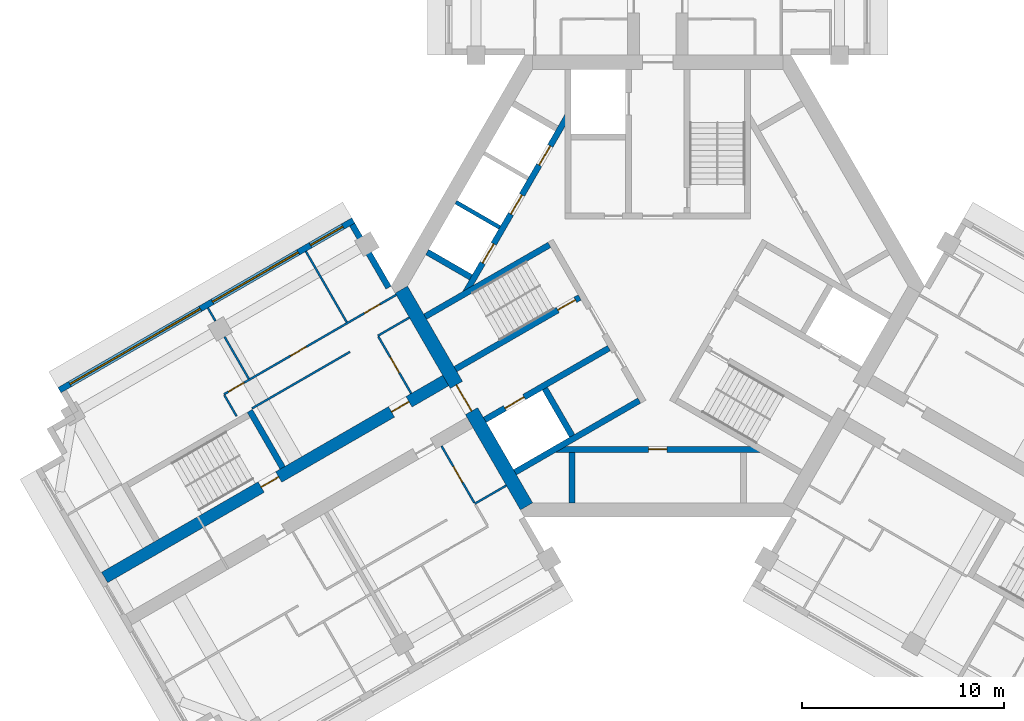
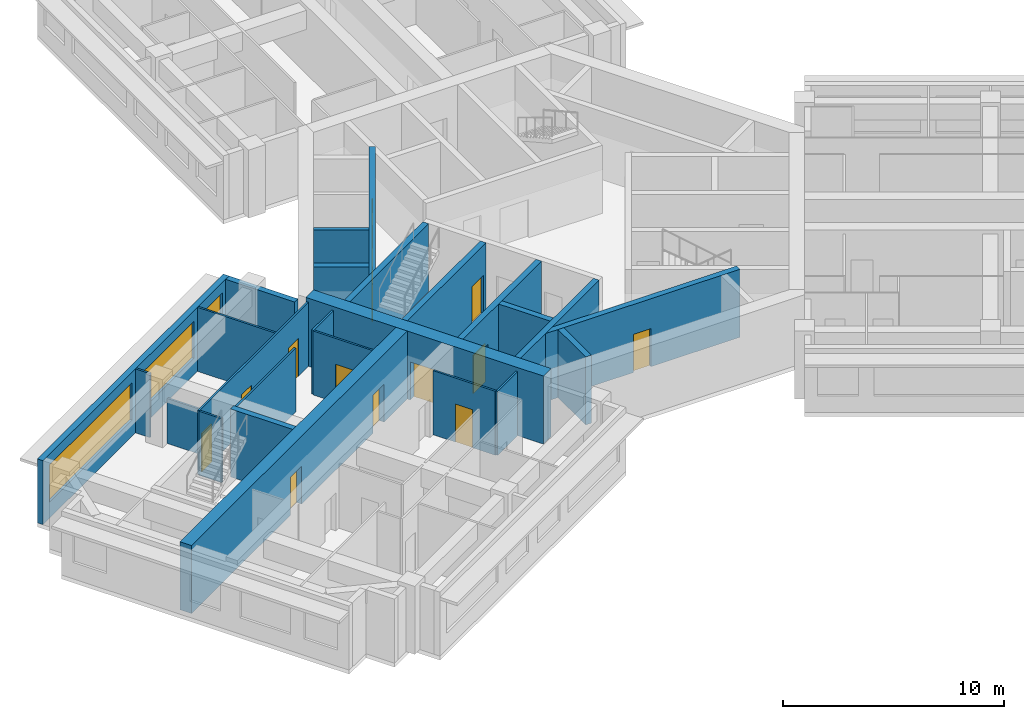
# One storey, part 3 of 10: 25 walls, 14 doors, 3 windows, 17 openings.
"""IFC4 building model written with IfcOpenShell, lengths in metres."""

from ifc_helpers import new_model, si_unit, direction, frame, frame_2d, origin, place, context, subcontext, project, spatial, rectangle, extrude, material, layer, layer_set, type_object, element, fill, save


model = new_model("IFC4")

# Units and contexts
model_context = context("Model", 3, precision=1e-05, world=origin(), true_north=direction((0.0, 1.0)))
body_context = subcontext(model_context, "Body", "Model", "MODEL_VIEW")
ifc_project = project(units=[si_unit("LENGTHUNIT", "METRE"), si_unit("AREAUNIT", "SQUARE_METRE"), si_unit("VOLUMEUNIT", "CUBIC_METRE"), si_unit("PLANEANGLEUNIT", "RADIAN"), si_unit("MASSUNIT", "GRAM", prefix="KILO")], contexts=[model_context])

# Site, building, storey
site_placement = place(None, origin())
site = spatial("IfcSite", under=ifc_project, at=site_placement, CompositionType="ELEMENT")
building_placement = place(site_placement, origin())
building = spatial("IfcBuilding", under=site, at=building_placement, Name="Impinga Residences", CompositionType="ELEMENT")
storey_placement = place(building_placement, frame((0.0, 0.0, 229.75)))
storey = spatial("IfcBuildingStorey", under=building, at=storey_placement, Name="L57", CompositionType="ELEMENT", Elevation=229.75)

# Wall, openings, doors
ifc_material_1 = material(Name="Concrete C60/75", Category="concrete")
ifc_layer_1 = layer(ifc_material_1, 0.60009765625)
ifc_layer_set_1 = layer_set([ifc_layer_1], Name="Concrete C60/75")
wall_type_1 = type_object("IfcWallType", Name="BW3 corridor buttress wall, L46 to L73 600", PredefinedType="SHEAR", material=ifc_layer_set_1)
wall_1_placement = place(storey_placement, frame((-10.19677734375, -4.50146484375, 0.0), z_axis=(0.0, 0.0, 1.0), x_axis=(-0.866025214745, -0.500000327426, 0.0)))
wall_1 = element("IfcWall", 1, at=wall_1_placement, inside=storey, type_object=wall_type_1, Name="Corridor wall BW3 WD L57", PredefinedType="SHEAR", context=body_context, shape_type="SweptSolid", body=[
    extrude(rectangle(XDim=19.85009765625, YDim=0.60009765625, at=frame_2d((9.925048828125, 0.0))), origin(), (0.0, 0.0, 1.0), 3.75),
])
opening_1_placement = place(wall_1_placement, frame((9.89990234375, 0.0, 0.0)))
opening_1 = element("IfcOpeningElement", 2, at=opening_1_placement, cuts=wall_1, Name="Opening D5", PredefinedType="OPENING", context=body_context, shape_type="SweptSolid", body=[
    extrude(rectangle(XDim=1.0, YDim=2.10009765625, at=frame_2d((0.5, 1.050048828125))), frame((0.0, 0.31005859375, 0.0), z_axis=(0.0, -1.0, 0.0), x_axis=(1.0, 0.0, 0.0)), (0.0, 0.0, 1.0), 0.6201171875),
])
opening_2_placement = place(wall_1_placement, frame((2.449951171875, 0.0, 0.0)))
opening_2 = element("IfcOpeningElement", 3, at=opening_2_placement, cuts=wall_1, Name="Opening D1", PredefinedType="OPENING", context=body_context, shape_type="SweptSolid", body=[
    extrude(rectangle(XDim=1.0, YDim=2.10009765625, at=frame_2d((0.5, 1.050048828125))), frame((0.0, 0.31005859375, 0.0), z_axis=(0.0, -1.0, 0.0), x_axis=(1.0, 0.0, 0.0)), (0.0, 0.0, 1.0), 0.6201171875),
])
ifc_material_2 = material(Name="Timber door set", Category="wood")
door_type_1 = type_object("IfcDoorType", Name="D1 apartment entrance door 1000x2100", OperationType="SINGLE_SWING_LEFT", PredefinedType="DOOR", material=ifc_material_2)
door_1_placement = place(opening_2_placement, origin())
door_1 = element("IfcDoor", 4, at=door_1_placement, inside=storey, type_object=door_type_1, Name="Apartment L57-WF1 entrance", OperationType="SINGLE_SWING_LEFT", OverallHeight=2.10009765625, OverallWidth=1.0, PredefinedType="DOOR", context=body_context, shape_type="SweptSolid", body=[
    extrude(rectangle(XDim=1.0, YDim=2.10009765625, at=frame_2d((0.5, 1.050048828125))), frame((0.0, 0.02490234375, 0.0), z_axis=(0.0, -1.0, 0.0), x_axis=(1.0, 0.0, 0.0)), (0.0, 0.0, 1.0), 0.050048828125),
])
fill(opening_2, door_1)
door_type_2 = type_object("IfcDoorType", Name="D5 stair door 1000x2100", OperationType="SINGLE_SWING_LEFT", PredefinedType="DOOR", material=ifc_material_2)
door_2_placement = place(opening_1_placement, origin())
door_2 = element("IfcDoor", 5, at=door_2_placement, inside=storey, type_object=door_type_2, Name="Wing stair door W", OperationType="SINGLE_SWING_RIGHT", OverallHeight=2.10009765625, OverallWidth=1.0, PredefinedType="DOOR", context=body_context, shape_type="SweptSolid", body=[
    extrude(rectangle(XDim=1.0, YDim=2.10009765625, at=frame_2d((0.5, 1.050048828125))), frame((0.0, 0.02490234375, 0.0), z_axis=(0.0, -1.0, 0.0), x_axis=(1.0, 0.0, 0.0)), (0.0, 0.0, 1.0), 0.050048828125),
])
fill(opening_1, door_2)

# Wall, openings, windows
ifc_material_3 = material(Name="Terracotta rainscreen on blockwork", Category="masonry")
ifc_layer_2 = layer(ifc_material_3, 0.300048828125)
ifc_layer_set_2 = layer_set([ifc_layer_2], Name="EW1 external wall, terracotta rainscreen on blockwork 300")
wall_type_2 = type_object("IfcWallType", Name="EW1 external wall, terracotta rainscreen on blockwork 300", PredefinedType="SOLIDWALL", material=ifc_layer_set_2)
wall_2_placement = place(storey_placement, frame((-29.624267578125, -5.15234375, 0.0), z_axis=(0.0, 0.0, 1.0), x_axis=(0.86602925447, 0.499993330357, 0.0)))
wall_2 = element("IfcWall", 6, at=wall_2_placement, inside=storey, type_object=wall_type_2, Name="External wall EW1 L57", PredefinedType="SOLIDWALL", context=body_context, shape_type="SweptSolid", body=[
    extrude(rectangle(XDim=16.800048828125, YDim=0.300048828125, at=frame_2d((8.39990234375, 0.0))), origin(), (0.0, 0.0, 1.0), 3.530029296875),
])
opening_3_placement = place(wall_2_placement, frame((0.60009765625, 0.0, 0.89990234375)))
opening_3 = element("IfcOpeningElement", 7, at=opening_3_placement, cuts=wall_2, Name="Opening W7", PredefinedType="OPENING", context=body_context, shape_type="SweptSolid", body=[
    extrude(rectangle(XDim=7.449951171875, YDim=2.050048828125, at=frame_2d((3.72509765625, 1.02490234375))), frame((0.0, 0.159912109375, 0.0), z_axis=(0.0, -1.0, 0.0), x_axis=(1.0, 0.0, 0.0)), (0.0, 0.0, 1.0), 0.320068359375),
])
opening_4_placement = place(wall_2_placement, frame((8.75, 0.0, 0.89990234375)))
opening_4 = element("IfcOpeningElement", 8, at=opening_4_placement, cuts=wall_2, Name="Opening W16", PredefinedType="OPENING", context=body_context, shape_type="SweptSolid", body=[
    extrude(rectangle(XDim=4.89990234375, YDim=2.050048828125, at=frame_2d((2.449951171875, 1.02490234375))), frame((0.0, 0.159912109375, 0.0), z_axis=(0.0, -1.0, 0.0), x_axis=(1.0, 0.0, 0.0)), (0.0, 0.0, 1.0), 0.320068359375),
])
opening_5_placement = place(wall_2_placement, frame((14.35009765625, 0.0, 0.89990234375)))
opening_5 = element("IfcOpeningElement", 9, at=opening_5_placement, cuts=wall_2, Name="Opening W15", PredefinedType="OPENING", context=body_context, shape_type="SweptSolid", body=[
    extrude(rectangle(XDim=1.85009765625, YDim=2.050048828125, at=frame_2d((0.925048828125, 1.02490234375))), frame((0.0, 0.159912109375, 0.0), z_axis=(0.0, -1.0, 0.0), x_axis=(1.0, 0.0, 0.0)), (0.0, 0.0, 1.0), 0.320068359375),
])
ifc_material_4 = material(Name="Aluminium window, clear double glazing", Category="aluminium")
window_type_1 = type_object("IfcWindowType", Name="W15 ribbon window 1850x2050", PartitioningType="SINGLE_PANEL", PredefinedType="WINDOW", material=ifc_material_4)
window_1_placement = place(opening_5_placement, origin())
window_1 = element("IfcWindow", 10, at=window_1_placement, inside=storey, type_object=window_type_1, Name="Window L57", OverallHeight=2.050048828125, OverallWidth=1.85009765625, PartitioningType="SINGLE_PANEL", PredefinedType="WINDOW", context=body_context, shape_type="SweptSolid", body=[
    extrude(rectangle(XDim=1.85009765625, YDim=2.050048828125, at=frame_2d((0.925048828125, 1.02490234375))), frame((0.0, 0.030029296875, 0.0), z_axis=(0.0, -1.0, 0.0), x_axis=(1.0, 0.0, 0.0)), (0.0, 0.0, 1.0), 0.06005859375),
])
fill(opening_5, window_1)
window_type_2 = type_object("IfcWindowType", Name="W16 ribbon window 4900x2050", PartitioningType="SINGLE_PANEL", PredefinedType="WINDOW", material=ifc_material_4)
window_2_placement = place(opening_4_placement, origin())
window_2 = element("IfcWindow", 11, at=window_2_placement, inside=storey, type_object=window_type_2, Name="Window L57", OverallHeight=2.050048828125, OverallWidth=4.89990234375, PartitioningType="SINGLE_PANEL", PredefinedType="WINDOW", context=body_context, shape_type="SweptSolid", body=[
    extrude(rectangle(XDim=4.89990234375, YDim=2.050048828125, at=frame_2d((2.449951171875, 1.02490234375))), frame((0.0, 0.030029296875, 0.0), z_axis=(0.0, -1.0, 0.0), x_axis=(1.0, 0.0, 0.0)), (0.0, 0.0, 1.0), 0.06005859375),
])
fill(opening_4, window_2)
window_type_3 = type_object("IfcWindowType", Name="W7 ribbon window 7450x2050", PartitioningType="SINGLE_PANEL", PredefinedType="WINDOW", material=ifc_material_4)
window_3_placement = place(opening_3_placement, origin())
window_3 = element("IfcWindow", 12, at=window_3_placement, inside=storey, type_object=window_type_3, Name="Window L57", OverallHeight=2.050048828125, OverallWidth=7.449951171875, PartitioningType="SINGLE_PANEL", PredefinedType="WINDOW", context=body_context, shape_type="SweptSolid", body=[
    extrude(rectangle(XDim=7.449951171875, YDim=2.050048828125, at=frame_2d((3.72509765625, 1.02490234375))), frame((0.0, 0.030029296875, 0.0), z_axis=(0.0, -1.0, 0.0), x_axis=(1.0, 0.0, 0.0)), (0.0, 0.0, 1.0), 0.06005859375),
])
fill(opening_3, window_3)

# Walls
wall_3_placement = place(storey_placement, frame((-15.1298828125, 3.042724609375, 0.0), z_axis=(0.0, 0.0, 1.0), x_axis=(0.500012057535, -0.866018442252, 0.0)))
element("IfcWall", 13, at=wall_3_placement, inside=storey, type_object=wall_type_2, Name="External wall EW1 L57", PredefinedType="SOLIDWALL", context=body_context, shape_type="SweptSolid", body=[
    extrude(rectangle(XDim=3.60009765625, YDim=0.300048828125, at=frame_2d((1.800048828125, 0.0))), origin(), (0.0, 0.0, 1.0), 3.530029296875),
])
ifc_material_5 = material(Name="Gypsum board on steel studs", Category="steel")
ifc_layer_3 = layer(ifc_material_5, 0.10009765625)
ifc_layer_set_3 = layer_set([ifc_layer_3], Name="Gypsum board on steel studs")
wall_type_3 = type_object("IfcWallType", Name="IP1 partition 100", PredefinedType="PARTITIONING", material=ifc_layer_set_3)
wall_4_placement = place(storey_placement, frame((-7.5, -9.872802734375, 0.0), z_axis=(0.0, 0.0, 1.0), x_axis=(-0.866047807691, -0.499961193289, 0.0)))
element("IfcWall", 14, at=wall_4_placement, inside=storey, type_object=wall_type_3, Name="Partition L57-WA1:DIV0", PredefinedType="PARTITIONING", context=body_context, shape_type="SweptSolid", body=[
    extrude(rectangle(XDim=1.800048828125, YDim=0.10009765625, at=frame_2d((0.89990234375, 0.0))), origin(), (0.0, 0.0, 1.0), 3.530029296875),
])

# Wall, opening, door
wall_5_placement = place(storey_placement, frame((-10.708740234375, -7.914794921875, 0.0), z_axis=(0.0, 0.0, 1.0), x_axis=(0.499984717929, -0.866034226713, 0.0)))
wall_5 = element("IfcWall", 15, at=wall_5_placement, inside=storey, type_object=wall_type_3, Name="Partition L57-WA1:IB1", PredefinedType="PARTITIONING", context=body_context, shape_type="SweptSolid", body=[
    extrude(rectangle(XDim=3.25, YDim=0.10009765625, at=frame_2d((1.625, 0.0))), origin(), (0.0, 0.0, 1.0), 3.530029296875),
])
opening_6_placement = place(wall_5_placement, frame((1.175048828125, 0.0, 0.0)))
opening_6 = element("IfcOpeningElement", 16, at=opening_6_placement, cuts=wall_5, Name="Opening D2", PredefinedType="OPENING", context=body_context, shape_type="SweptSolid", body=[
    extrude(rectangle(XDim=0.89990234375, YDim=2.10009765625, at=frame_2d((0.449951171875, 1.050048828125))), frame((0.0, 0.06005859375, 0.0), z_axis=(0.0, -1.0, 0.0), x_axis=(1.0, 0.0, 0.0)), (0.0, 0.0, 1.0), 0.1201171875),
])
door_type_3 = type_object("IfcDoorType", Name="D2 internal door 900x2100", OperationType="SINGLE_SWING_LEFT", PredefinedType="DOOR", material=ifc_material_2)
door_3_placement = place(opening_6_placement, origin())
door_3 = element("IfcDoor", 17, at=door_3_placement, inside=storey, type_object=door_type_3, Name="Apartment L57-WA1 bathroom door", OperationType="SINGLE_SWING_LEFT", OverallHeight=2.10009765625, OverallWidth=0.89990234375, PredefinedType="DOOR", context=body_context, shape_type="SweptSolid", body=[
    extrude(rectangle(XDim=0.89990234375, YDim=2.10009765625, at=frame_2d((0.449951171875, 1.050048828125))), frame((0.0, 0.02490234375, 0.0), z_axis=(0.0, -1.0, 0.0), x_axis=(1.0, 0.0, 0.0)), (0.0, 0.0, 1.0), 0.050048828125),
])
fill(opening_6, door_3)

# Walls
wall_6_placement = place(storey_placement, frame((-12.300048828125, -1.558837890625, 0.0), z_axis=(0.0, 0.0, 1.0), x_axis=(-0.866047807691, -0.499961193289, 0.0)))
element("IfcWall", 18, at=wall_6_placement, inside=storey, type_object=wall_type_3, Name="Partition L57-WF1:DIV0", PredefinedType="PARTITIONING", context=body_context, shape_type="SweptSolid", body=[
    extrude(rectangle(XDim=1.800048828125, YDim=0.10009765625, at=frame_2d((0.89990234375, 0.0))), origin(), (0.0, 0.0, 1.0), 3.530029296875),
])
wall_7_placement = place(storey_placement, frame((-15.244384765625, -3.2587890625, 0.0), z_axis=(0.0, 0.0, 1.0), x_axis=(-0.866026594901, -0.49999793692, 0.0)))
element("IfcWall", 19, at=wall_7_placement, inside=storey, type_object=wall_type_3, Name="Partition L57-WF1:DIV1", PredefinedType="PARTITIONING", context=body_context, shape_type="SweptSolid", body=[
    extrude(rectangle(XDim=5.60009765625, YDim=0.10009765625, at=frame_2d((2.800048828125, 0.0))), origin(), (0.0, 0.0, 1.0), 3.530029296875),
])

# Wall, openings, doors
wall_8_placement = place(storey_placement, frame((-12.949951171875, -0.43310546875, 0.0), z_axis=(0.0, 0.0, 1.0), x_axis=(-0.866038236991, -0.499977771575, 0.0)))
wall_8 = element("IfcWall", 20, at=wall_8_placement, inside=storey, type_object=wall_type_3, Name="Partition L57-WF1:STRIP", PredefinedType="PARTITIONING", context=body_context, shape_type="SweptSolid", body=[
    extrude(rectangle(XDim=9.85009765625, YDim=0.10009765625, at=frame_2d((4.925048828125, 0.0))), origin(), (0.0, 0.0, 1.0), 3.530029296875),
])
opening_7_placement = place(wall_8_placement, frame((0.925048828125, 0.0, 0.0)))
opening_7 = element("IfcOpeningElement", 21, at=opening_7_placement, cuts=wall_8, Name="Opening D2", PredefinedType="OPENING", context=body_context, shape_type="SweptSolid", body=[
    extrude(rectangle(XDim=0.89990234375, YDim=2.10009765625, at=frame_2d((0.449951171875, 1.050048828125))), frame((0.0, 0.06005859375, 0.0), z_axis=(0.0, -1.0, 0.0), x_axis=(1.0, 0.0, 0.0)), (0.0, 0.0, 1.0), 0.1201171875),
])
opening_8_placement = place(wall_8_placement, frame((5.14990234375, 0.0, 0.0)))
opening_8 = element("IfcOpeningElement", 22, at=opening_8_placement, cuts=wall_8, Name="Opening D2", PredefinedType="OPENING", context=body_context, shape_type="SweptSolid", body=[
    extrude(rectangle(XDim=0.89990234375, YDim=2.10009765625, at=frame_2d((0.449951171875, 1.050048828125))), frame((0.0, 0.06005859375, 0.0), z_axis=(0.0, -1.0, 0.0), x_axis=(1.0, 0.0, 0.0)), (0.0, 0.0, 1.0), 0.1201171875),
])
opening_9_placement = place(wall_8_placement, frame((8.699951171875, 0.0, 0.0)))
opening_9 = element("IfcOpeningElement", 23, at=opening_9_placement, cuts=wall_8, Name="Opening D2", PredefinedType="OPENING", context=body_context, shape_type="SweptSolid", body=[
    extrude(rectangle(XDim=0.89990234375, YDim=2.10009765625, at=frame_2d((0.449951171875, 1.050048828125))), frame((0.0, 0.06005859375, 0.0), z_axis=(0.0, -1.0, 0.0), x_axis=(1.0, 0.0, 0.0)), (0.0, 0.0, 1.0), 0.1201171875),
])
door_4_placement = place(opening_7_placement, origin())
door_4 = element("IfcDoor", 24, at=door_4_placement, inside=storey, type_object=door_type_3, Name="Apartment L57-WF1 room door", OperationType="SINGLE_SWING_LEFT", OverallHeight=2.10009765625, OverallWidth=0.89990234375, PredefinedType="DOOR", context=body_context, shape_type="SweptSolid", body=[
    extrude(rectangle(XDim=0.89990234375, YDim=2.10009765625, at=frame_2d((0.449951171875, 1.050048828125))), frame((0.0, 0.02490234375, 0.0), z_axis=(0.0, -1.0, 0.0), x_axis=(1.0, 0.0, 0.0)), (0.0, 0.0, 1.0), 0.050048828125),
])
fill(opening_7, door_4)
door_5_placement = place(opening_8_placement, origin())
door_5 = element("IfcDoor", 25, at=door_5_placement, inside=storey, type_object=door_type_3, Name="Apartment L57-WF1 room door", OperationType="SINGLE_SWING_RIGHT", OverallHeight=2.10009765625, OverallWidth=0.89990234375, PredefinedType="DOOR", context=body_context, shape_type="SweptSolid", body=[
    extrude(rectangle(XDim=0.89990234375, YDim=2.10009765625, at=frame_2d((0.449951171875, 1.050048828125))), frame((0.0, 0.02490234375, 0.0), z_axis=(0.0, -1.0, 0.0), x_axis=(1.0, 0.0, 0.0)), (0.0, 0.0, 1.0), 0.050048828125),
])
fill(opening_8, door_5)
door_6_placement = place(opening_9_placement, origin())
door_6 = element("IfcDoor", 26, at=door_6_placement, inside=storey, type_object=door_type_3, Name="Apartment L57-WF1 room door", OperationType="SINGLE_SWING_RIGHT", OverallHeight=2.10009765625, OverallWidth=0.89990234375, PredefinedType="DOOR", context=body_context, shape_type="SweptSolid", body=[
    extrude(rectangle(XDim=0.89990234375, YDim=2.10009765625, at=frame_2d((0.449951171875, 1.050048828125))), frame((0.0, 0.02490234375, 0.0), z_axis=(0.0, -1.0, 0.0), x_axis=(1.0, 0.0, 0.0)), (0.0, 0.0, 1.0), 0.050048828125),
])
fill(opening_9, door_6)

# Wall
wall_9_placement = place(storey_placement, frame((-20.85546875, -6.4404296875, 0.0), z_axis=(0.0, 0.0, 1.0), x_axis=(-0.499969057507, 0.866043267704, 0.0)))
element("IfcWall", 27, at=wall_9_placement, inside=storey, type_object=wall_type_3, Name="Partition L57-WF1:SE1", PredefinedType="PARTITIONING", context=body_context, shape_type="SweptSolid", body=[
    extrude(rectangle(XDim=1.19970703125, YDim=0.10009765625, at=frame_2d((0.599853515625, 0.0))), origin(), (0.0, 0.0, 1.0), 3.530029296875),
])

# Wall, opening, door
wall_10_placement = place(storey_placement, frame((-12.208740234375, -5.316650390625, 0.0), z_axis=(0.0, 0.0, 1.0), x_axis=(-0.500017246033, 0.866015446554, 0.0)))
wall_10 = element("IfcWall", 28, at=wall_10_placement, inside=storey, type_object=wall_type_3, Name="Partition L57-WF1:IB1", PredefinedType="PARTITIONING", context=body_context, shape_type="SweptSolid", body=[
    extrude(rectangle(XDim=3.25, YDim=0.10009765625, at=frame_2d((1.625, 0.0))), origin(), (0.0, 0.0, 1.0), 3.530029296875),
])
opening_10_placement = place(wall_10_placement, frame((1.175048828125, 0.0, 0.0)))
opening_10 = element("IfcOpeningElement", 29, at=opening_10_placement, cuts=wall_10, Name="Opening D2", PredefinedType="OPENING", context=body_context, shape_type="SweptSolid", body=[
    extrude(rectangle(XDim=0.89990234375, YDim=2.10009765625, at=frame_2d((0.449951171875, 1.050048828125))), frame((0.0, 0.06005859375, 0.0), z_axis=(0.0, -1.0, 0.0), x_axis=(1.0, 0.0, 0.0)), (0.0, 0.0, 1.0), 0.1201171875),
])
door_7_placement = place(opening_10_placement, origin())
door_7 = element("IfcDoor", 30, at=door_7_placement, inside=storey, type_object=door_type_3, Name="Apartment L57-WF1 bathroom door", OperationType="SINGLE_SWING_LEFT", OverallHeight=2.10009765625, OverallWidth=0.89990234375, PredefinedType="DOOR", context=body_context, shape_type="SweptSolid", body=[
    extrude(rectangle(XDim=0.89990234375, YDim=2.10009765625, at=frame_2d((0.449951171875, 1.050048828125))), frame((0.0, 0.02490234375, 0.0), z_axis=(0.0, -1.0, 0.0), x_axis=(1.0, 0.0, 0.0)), (0.0, 0.0, 1.0), 0.050048828125),
])
fill(opening_10, door_7)

# Walls
wall_11_placement = place(storey_placement, frame((-15.39990234375, -1.789794921875, 0.0), z_axis=(0.0, 0.0, 1.0), x_axis=(-0.499964223975, 0.866046058097, 0.0)))
element("IfcWall", 31, at=wall_11_placement, inside=storey, type_object=wall_type_3, Name="Partition L57-WF1:OB1", PredefinedType="PARTITIONING", context=body_context, shape_type="SweptSolid", body=[
    extrude(rectangle(XDim=4.050048828125, YDim=0.10009765625, at=frame_2d((2.02490234375, 0.0))), origin(), (0.0, 0.0, 1.0), 3.530029296875),
])
wall_12_placement = place(storey_placement, frame((-20.24951171875, -4.589599609375, 0.0), z_axis=(0.0, 0.0, 1.0), x_axis=(-0.500077600433, 0.865980596518, 0.0)))
element("IfcWall", 32, at=wall_12_placement, inside=storey, type_object=wall_type_3, Name="Partition L57-WF1:OB2", PredefinedType="PARTITIONING", context=body_context, shape_type="SweptSolid", body=[
    extrude(rectangle(XDim=2.39990234375, YDim=0.10009765625, at=frame_2d((1.199951171875, 0.0))), origin(), (0.0, 0.0, 1.0), 2.47998046875),
])
wall_13_placement = place(storey_placement, frame((-21.899658203125, -1.73193359375, 0.0), z_axis=(0.0, 0.0, 1.0), x_axis=(-0.499919672301, 0.866071776036, 0.0)))
element("IfcWall", 33, at=wall_13_placement, inside=storey, type_object=wall_type_3, Name="Partition L57-WF1:OB2b", PredefinedType="PARTITIONING", context=body_context, shape_type="SweptSolid", body=[
    extrude(rectangle(XDim=0.75, YDim=0.10009765625, at=frame_2d((0.375, 0.0))), origin(), (0.0, 0.0, 1.0), 3.530029296875),
])
ifc_layer_4 = layer(ifc_material_1, 0.300048828125)
ifc_layer_set_4 = layer_set([ifc_layer_4], Name="Concrete C60/75")
wall_type_4 = type_object("IfcWallType", Name="SE1 wing stair enclosure wall 300", PredefinedType="SOLIDWALL", material=ifc_layer_set_4)
wall_14_placement = place(storey_placement, frame((-18.57421875, -8.99169921875, 0.0), z_axis=(0.0, 0.0, 1.0), x_axis=(-0.500017246033, 0.866015446554, 0.0)))
element("IfcWall", 34, at=wall_14_placement, inside=storey, type_object=wall_type_4, Name="Stair enclosure wall SE1 W END0 L57", PredefinedType="SOLIDWALL", context=body_context, shape_type="SweptSolid", body=[
    extrude(rectangle(XDim=3.25, YDim=0.300048828125, at=frame_2d((1.625, 0.0))), origin(), (0.0, 0.0, 1.0), 3.75),
])

# Wall, opening, door
ifc_layer_5 = layer(ifc_material_1, 0.699951171875)
ifc_layer_set_5 = layer_set([ifc_layer_5], Name="Concrete C60/75")
wall_type_5 = type_object("IfcWallType", Name="SW3 core wall 700", PredefinedType="SHEAR", material=ifc_layer_set_5)
wall_15_placement = place(storey_placement, frame((-6.4990234375, -10.906494140625, 0.0), z_axis=(0.0, 0.0, 1.0), x_axis=(-0.499999875397, 0.866025475724, 0.0)))
wall_15 = element("IfcWall", 35, at=wall_15_placement, inside=storey, type_object=wall_type_5, Name="Core wall SW3 W:FACE L57", PredefinedType="SHEAR", context=body_context, shape_type="SweptSolid", body=[
    extrude(rectangle(XDim=12.3916015625, YDim=0.699951171875, at=frame_2d((6.19580078125, 0.0))), origin(), (0.0, 0.0, 1.0), 3.75),
])
opening_11_placement = place(wall_15_placement, frame((5.44580078125, 0.0, 0.0)))
opening_11 = element("IfcOpeningElement", 36, at=opening_11_placement, cuts=wall_15, Name="Opening D4", PredefinedType="OPENING", context=body_context, shape_type="SweptSolid", body=[
    extrude(rectangle(XDim=1.5, YDim=2.10009765625, at=frame_2d((0.75, 1.050048828125))), frame((0.0, 0.35986328125, 0.0), z_axis=(0.0, -1.0, 0.0), x_axis=(1.0, 0.0, 0.0)), (0.0, 0.0, 1.0), 0.719970703125),
])
door_type_4 = type_object("IfcDoorType", Name="D4 lobby door pair 1500x2100", OperationType="DOUBLE_DOOR_DOUBLE_SWING", PredefinedType="DOOR", material=ifc_material_2)
door_8_placement = place(opening_11_placement, origin())
door_8 = element("IfcDoor", 37, at=door_8_placement, inside=storey, type_object=door_type_4, Name="Lobby door W", OperationType="DOUBLE_DOOR_DOUBLE_SWING", OverallHeight=2.10009765625, OverallWidth=1.5, PredefinedType="DOOR", context=body_context, shape_type="SweptSolid", body=[
    extrude(rectangle(XDim=1.5, YDim=2.10009765625, at=frame_2d((0.75, 1.050048828125))), frame((0.0, 0.02490234375, 0.0), z_axis=(0.0, -1.0, 0.0), x_axis=(1.0, 0.0, 0.0)), (0.0, 0.0, 1.0), 0.050048828125),
])
fill(opening_11, door_8)

ifc_material_6 = material(Name="Concrete C70/85", Category="concrete")
ifc_layer_6 = layer(ifc_material_6, 0.300048828125)
ifc_layer_set_6 = layer_set([ifc_layer_6], Name="Concrete C70/85")
wall_type_6 = type_object("IfcWallType", Name="SW5 core inner wall, stairs, shafts and lobbies 300", PredefinedType="SHEAR", material=ifc_layer_set_6)
wall_16_placement = place(storey_placement, frame((-3.86865234375, -0.559326171875, 0.0), z_axis=(0.0, 0.0, 1.0), x_axis=(-0.866025859768, -0.499999210213, 0.0)))
wall_16 = element("IfcWall", 38, at=wall_16_placement, inside=storey, type_object=wall_type_6, Name="Core wall SW5 W:ST-IN L57", PredefinedType="SHEAR", context=body_context, shape_type="SweptSolid", body=[
    extrude(rectangle(XDim=7.1015625, YDim=0.300048828125, at=frame_2d((3.55078125, 0.0))), origin(), (0.0, 0.0, 1.0), 3.75),
])
opening_12_placement = place(wall_16_placement, frame((0.25, 0.0, 0.0)))
opening_12 = element("IfcOpeningElement", 39, at=opening_12_placement, cuts=wall_16, Name="Opening D5", PredefinedType="OPENING", context=body_context, shape_type="SweptSolid", body=[
    extrude(rectangle(XDim=1.0, YDim=2.10009765625, at=frame_2d((0.5, 1.050048828125))), frame((0.0, 0.159912109375, 0.0), z_axis=(0.0, -1.0, 0.0), x_axis=(1.0, 0.0, 0.0)), (0.0, 0.0, 1.0), 0.320068359375),
])
door_9_placement = place(opening_12_placement, origin())
door_9 = element("IfcDoor", 40, at=door_9_placement, inside=storey, type_object=door_type_2, Name="Stair door W", OperationType="SINGLE_SWING_LEFT", OverallHeight=2.10009765625, OverallWidth=1.0, PredefinedType="DOOR", context=body_context, shape_type="SweptSolid", body=[
    extrude(rectangle(XDim=1.0, YDim=2.10009765625, at=frame_2d((0.5, 1.050048828125))), frame((0.0, 0.02490234375, 0.0), z_axis=(0.0, -1.0, 0.0), x_axis=(1.0, 0.0, 0.0)), (0.0, 0.0, 1.0), 0.050048828125),
])
fill(opening_12, door_9)

# Wall
wall_17_placement = place(storey_placement, frame((-5.36865234375, 2.038818359375, 0.0), z_axis=(0.0, 0.0, 1.0), x_axis=(-0.866025859768, -0.499999210213, 0.0)))
element("IfcWall", 41, at=wall_17_placement, inside=storey, type_object=wall_type_6, Name="Core wall SW5 W:ST-OUT L57", PredefinedType="SHEAR", context=body_context, shape_type="SweptSolid", body=[
    extrude(rectangle(XDim=7.1015625, YDim=0.300048828125, at=frame_2d((3.55078125, 0.0))), origin(), (0.0, 0.0, 1.0), 3.75),
])

# Wall, opening, door
wall_18_placement = place(storey_placement, frame((-2.418701171875, -3.07080078125, 0.0), z_axis=(0.0, 0.0, 1.0), x_axis=(-0.866025859768, -0.499999210213, 0.0)))
wall_18 = element("IfcWall", 42, at=wall_18_placement, inside=storey, type_object=wall_type_6, Name="Core wall SW5 W:FF-IN L57", PredefinedType="SHEAR", context=body_context, shape_type="SweptSolid", body=[
    extrude(rectangle(XDim=7.1015625, YDim=0.300048828125, at=frame_2d((3.55078125, 0.0))), origin(), (0.0, 0.0, 1.0), 3.75),
])
opening_13_placement = place(wall_18_placement, frame((4.85009765625, 0.0, 0.0)))
opening_13 = element("IfcOpeningElement", 43, at=opening_13_placement, cuts=wall_18, Name="Opening LD2", PredefinedType="OPENING", context=body_context, shape_type="SweptSolid", body=[
    extrude(rectangle(XDim=1.10009765625, YDim=2.10009765625, at=frame_2d((0.550048828125, 1.050048828125))), frame((0.0, 0.159912109375, 0.0), z_axis=(0.0, -1.0, 0.0), x_axis=(1.0, 0.0, 0.0)), (0.0, 0.0, 1.0), 0.320068359375),
])
ifc_material_7 = material(Name="Steel lift landing door", Category="steel")
door_type_5 = type_object("IfcDoorType", Name="LD2 firefighting lift landing door 1100x2100", OperationType="DOUBLE_DOOR_SLIDING", PredefinedType="DOOR", material=ifc_material_7)
door_10_placement = place(opening_13_placement, origin())
door_10 = element("IfcDoor", 44, at=door_10_placement, inside=storey, type_object=door_type_5, Name="Firefighting lift landing door F2", OperationType="DOUBLE_DOOR_SLIDING", OverallHeight=2.10009765625, OverallWidth=1.10009765625, PredefinedType="DOOR", context=body_context, shape_type="SweptSolid", body=[
    extrude(rectangle(XDim=1.10009765625, YDim=2.10009765625, at=frame_2d((0.550048828125, 1.050048828125))), frame((0.0, 0.02490234375, 0.0), z_axis=(0.0, -1.0, 0.0), x_axis=(1.0, 0.0, 0.0)), (0.0, 0.0, 1.0), 0.050048828125),
])
fill(opening_13, door_10)

# Walls
wall_19_placement = place(storey_placement, frame((-0.918701171875, -5.668701171875, 0.0), z_axis=(0.0, 0.0, 1.0), x_axis=(-0.866025859768, -0.499999210213, 0.0)))
element("IfcWall", 45, at=wall_19_placement, inside=storey, type_object=wall_type_6, Name="Core wall SW5 W:FF-OUT L57", PredefinedType="SHEAR", context=body_context, shape_type="SweptSolid", body=[
    extrude(rectangle(XDim=7.1015625, YDim=0.300048828125, at=frame_2d((3.55078125, 0.0))), origin(), (0.0, 0.0, 1.0), 3.75),
])
wall_20_placement = place(storey_placement, frame((-4.2412109375, -7.413818359375, 0.0), z_axis=(0.0, 0.0, 1.0), x_axis=(-0.500048589285, 0.86599734893, 0.0)))
element("IfcWall", 46, at=wall_20_placement, inside=storey, type_object=wall_type_6, Name="Core wall SW5 W:FF-RS L57", PredefinedType="SHEAR", context=body_context, shape_type="SweptSolid", body=[
    extrude(rectangle(XDim=2.699951171875, YDim=0.300048828125, at=frame_2d((1.35009765625, 0.0))), origin(), (0.0, 0.0, 1.0), 3.75),
])

# Wall, opening, door
wall_21_placement = place(storey_placement, frame((5.09765625, -8.08154296875, 0.0), z_axis=(0.0, 0.0, 1.0), x_axis=(-1.0, 0.0, 0.0)))
wall_21 = element("IfcWall", 47, at=wall_21_placement, inside=storey, type_object=wall_type_6, Name="Core wall SW5 N:BANK-FRONT L57", PredefinedType="SHEAR", context=body_context, shape_type="SweptSolid", body=[
    extrude(rectangle(XDim=10.1953125, YDim=0.300048828125, at=frame_2d((5.09765625, 0.0))), origin(), (0.0, 0.0, 1.0), 3.75),
])
opening_14_placement = place(wall_21_placement, frame((4.647705078125, 0.0, 0.0)))
opening_14 = element("IfcOpeningElement", 48, at=opening_14_placement, cuts=wall_21, Name="Opening D6", PredefinedType="OPENING", context=body_context, shape_type="SweptSolid", body=[
    extrude(rectangle(XDim=0.89990234375, YDim=2.10009765625, at=frame_2d((0.449951171875, 1.050048828125))), frame((0.0, 0.159912109375, 0.0), z_axis=(0.0, -1.0, 0.0), x_axis=(1.0, 0.0, 0.0)), (0.0, 0.0, 1.0), 0.320068359375),
])
door_type_6 = type_object("IfcDoorType", Name="D6 riser and store door 900x2100", OperationType="SINGLE_SWING_LEFT", PredefinedType="DOOR", material=ifc_material_2)
door_11_placement = place(opening_14_placement, origin())
door_11 = element("IfcDoor", 49, at=door_11_placement, inside=storey, type_object=door_type_6, Name="Residents' parcel room door", OperationType="SINGLE_SWING_LEFT", OverallHeight=2.10009765625, OverallWidth=0.89990234375, PredefinedType="DOOR", context=body_context, shape_type="SweptSolid", body=[
    extrude(rectangle(XDim=0.89990234375, YDim=2.10009765625, at=frame_2d((0.449951171875, 1.050048828125))), frame((0.0, 0.02490234375, 0.0), z_axis=(0.0, -1.0, 0.0), x_axis=(1.0, 0.0, 0.0)), (0.0, 0.0, 1.0), 0.050048828125),
])
fill(opening_14, door_11)

# Wall
wall_22_placement = place(storey_placement, frame((-4.25, -8.2314453125, 0.0), z_axis=(0.0, 0.0, 1.0), x_axis=(0.0, -1.0, 0.0)))
element("IfcWall", 50, at=wall_22_placement, inside=storey, type_object=wall_type_6, Name="Core wall SW5 N:BANK-R L57", PredefinedType="SHEAR", context=body_context, shape_type="SweptSolid", body=[
    extrude(rectangle(XDim=2.5, YDim=0.300048828125, at=frame_2d((1.25, 0.0))), origin(), (0.0, 0.0, 1.0), 3.75),
])

# Wall, openings, doors
wall_23_placement = place(storey_placement, frame((-9.547607421875, -0.3740234375, 0.0), z_axis=(0.0, 0.0, 1.0), x_axis=(0.500002290144, 0.866024081565, 0.0)))
wall_23 = element("IfcWall", 51, at=wall_23_placement, inside=storey, type_object=wall_type_6, Name="Core wall SW5 E:BANK-FRONT L57", PredefinedType="SHEAR", context=body_context, shape_type="SweptSolid", body=[
    extrude(rectangle(XDim=10.1953125, YDim=0.300048828125, at=frame_2d((5.09765625, 0.0))), origin(), (0.0, 0.0, 1.0), 3.75),
])
opening_15_placement = place(wall_23_placement, frame((1.74755859375, 0.0, 0.0)))
opening_15 = element("IfcOpeningElement", 52, at=opening_15_placement, cuts=wall_23, Name="Opening LD1", PredefinedType="OPENING", context=body_context, shape_type="SweptSolid", body=[
    extrude(rectangle(XDim=1.10009765625, YDim=2.10009765625, at=frame_2d((0.550048828125, 1.050048828125))), frame((0.0, 0.159912109375, 0.0), z_axis=(0.0, -1.0, 0.0), x_axis=(1.0, 0.0, 0.0)), (0.0, 0.0, 1.0), 0.320068359375),
])
opening_16_placement = place(wall_23_placement, frame((4.547607421875, 0.0, 0.0)))
opening_16 = element("IfcOpeningElement", 53, at=opening_16_placement, cuts=wall_23, Name="Opening LD1", PredefinedType="OPENING", context=body_context, shape_type="SweptSolid", body=[
    extrude(rectangle(XDim=1.10009765625, YDim=2.10009765625, at=frame_2d((0.550048828125, 1.050048828125))), frame((0.0, 0.159912109375, 0.0), z_axis=(0.0, -1.0, 0.0), x_axis=(1.0, 0.0, 0.0)), (0.0, 0.0, 1.0), 0.320068359375),
])
opening_17_placement = place(wall_23_placement, frame((7.34765625, 0.0, 0.0)))
opening_17 = element("IfcOpeningElement", 54, at=opening_17_placement, cuts=wall_23, Name="Opening LD1", PredefinedType="OPENING", context=body_context, shape_type="SweptSolid", body=[
    extrude(rectangle(XDim=1.10009765625, YDim=2.10009765625, at=frame_2d((0.550048828125, 1.050048828125))), frame((0.0, 0.159912109375, 0.0), z_axis=(0.0, -1.0, 0.0), x_axis=(1.0, 0.0, 0.0)), (0.0, 0.0, 1.0), 0.320068359375),
])
door_type_7 = type_object("IfcDoorType", Name="LD1 passenger lift landing door 1100x2100", OperationType="DOUBLE_DOOR_SLIDING", PredefinedType="DOOR", material=ifc_material_7)
door_12_placement = place(opening_15_placement, origin())
door_12 = element("IfcDoor", 55, at=door_12_placement, inside=storey, type_object=door_type_7, Name="Lift landing door P7", OperationType="DOUBLE_DOOR_SLIDING", OverallHeight=2.10009765625, OverallWidth=1.10009765625, PredefinedType="DOOR", context=body_context, shape_type="SweptSolid", body=[
    extrude(rectangle(XDim=1.10009765625, YDim=2.10009765625, at=frame_2d((0.550048828125, 1.050048828125))), frame((0.0, 0.02490234375, 0.0), z_axis=(0.0, -1.0, 0.0), x_axis=(1.0, 0.0, 0.0)), (0.0, 0.0, 1.0), 0.050048828125),
])
fill(opening_15, door_12)
door_13_placement = place(opening_16_placement, origin())
door_13 = element("IfcDoor", 56, at=door_13_placement, inside=storey, type_object=door_type_7, Name="Lift landing door P8", OperationType="DOUBLE_DOOR_SLIDING", OverallHeight=2.10009765625, OverallWidth=1.10009765625, PredefinedType="DOOR", context=body_context, shape_type="SweptSolid", body=[
    extrude(rectangle(XDim=1.10009765625, YDim=2.10009765625, at=frame_2d((0.550048828125, 1.050048828125))), frame((0.0, 0.02490234375, 0.0), z_axis=(0.0, -1.0, 0.0), x_axis=(1.0, 0.0, 0.0)), (0.0, 0.0, 1.0), 0.050048828125),
])
fill(opening_16, door_13)
door_14_placement = place(opening_17_placement, origin())
door_14 = element("IfcDoor", 57, at=door_14_placement, inside=storey, type_object=door_type_7, Name="Lift landing door P9", OperationType="DOUBLE_DOOR_SLIDING", OverallHeight=2.10009765625, OverallWidth=1.10009765625, PredefinedType="DOOR", context=body_context, shape_type="SweptSolid", body=[
    extrude(rectangle(XDim=1.10009765625, YDim=2.10009765625, at=frame_2d((0.550048828125, 1.050048828125))), frame((0.0, 0.02490234375, 0.0), z_axis=(0.0, -1.0, 0.0), x_axis=(1.0, 0.0, 0.0)), (0.0, 0.0, 1.0), 0.050048828125),
])
fill(opening_17, door_14)

# Walls
wall_24_placement = place(storey_placement, frame((-9.253662109375, 0.43505859375, 0.0), z_axis=(0.0, 0.0, 1.0), x_axis=(-0.866022959057, 0.500004234368, 0.0)))
element("IfcWall", 58, at=wall_24_placement, inside=storey, type_object=wall_type_6, Name="Core wall SW5 E:BANK-L L57", PredefinedType="SHEAR", context=body_context, shape_type="SweptSolid", body=[
    extrude(rectangle(XDim=2.5, YDim=0.300048828125, at=frame_2d((1.25, 0.0))), origin(), (0.0, 0.0, 1.0), 3.75),
])
ifc_layer_7 = layer(ifc_material_6, 0.199951171875)
ifc_layer_set_7 = layer_set([ifc_layer_7], Name="Concrete C70/85")
wall_type_7 = type_object("IfcWallType", Name="SW6 lift shaft divider wall 200", PredefinedType="SHEAR", material=ifc_layer_set_7)
wall_25_placement = place(storey_placement, frame((-7.82861328125, 2.9033203125, 0.0), z_axis=(0.0, 0.0, 1.0), x_axis=(-0.866047370643, 0.499961950354, 0.0)))
element("IfcWall", 59, at=wall_25_placement, inside=storey, type_object=wall_type_7, Name="Core wall SW6 E:BANK-D1 L57", PredefinedType="SHEAR", context=body_context, shape_type="SweptSolid", body=[
    extrude(rectangle(XDim=2.500244140625, YDim=0.199951171875, at=frame_2d((1.25, 0.0))), origin(), (0.0, 0.0, 1.0), 3.75),
])

save(model, "model.ifc")
